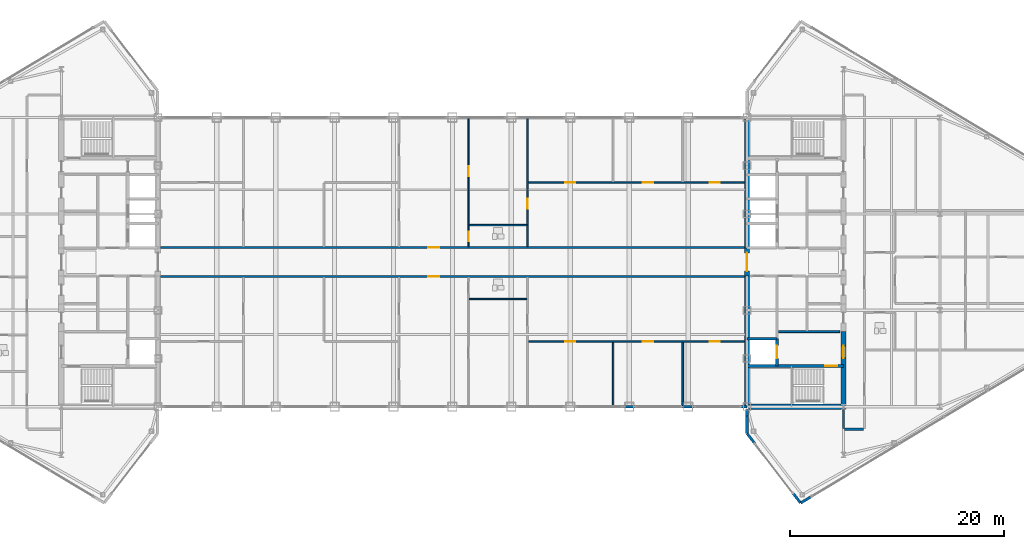
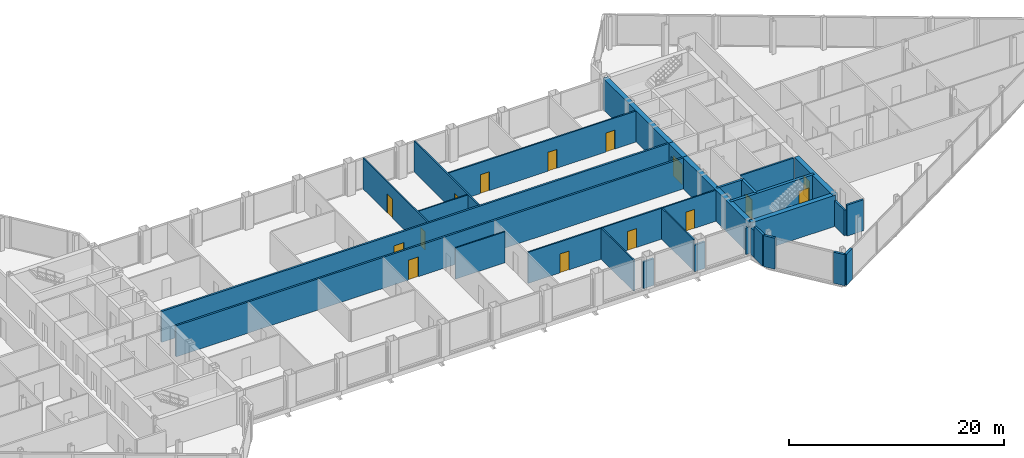
# One storey, part 24 of 29: 29 walls, 15 doors, 15 openings.
"""IFC4 building model written with IfcOpenShell, lengths in metres."""

from ifc_helpers import new_model, si_unit, direction, frame, frame_2d, origin, place, context, subcontext, project, spatial, rectangle, extrude, source, transform, mapped, material, layer, layer_set, type_object, type_shapes, element, fill, save


model = new_model("IFC4")

# Units and contexts
model_context = context("Model", 3, precision=1e-05, world=origin(), true_north=direction((0.0, 1.0)))
body_context = subcontext(model_context, "Body", "Model", "MODEL_VIEW")
ifc_project = project(units=[si_unit("LENGTHUNIT", "METRE"), si_unit("AREAUNIT", "SQUARE_METRE"), si_unit("VOLUMEUNIT", "CUBIC_METRE"), si_unit("PLANEANGLEUNIT", "RADIAN"), si_unit("MASSUNIT", "GRAM", prefix="KILO")], contexts=[model_context])

# Site, building, storey
site_placement = place(None, origin())
site = spatial("IfcSite", under=ifc_project, at=site_placement, CompositionType="ELEMENT")
building_placement = place(site_placement, origin())
building = spatial("IfcBuilding", under=site, at=building_placement, Name="Seokmaru Belvedere", CompositionType="ELEMENT")
storey_placement = place(building_placement, frame((0.0, 0.0, 254.39990234375)))
storey = spatial("IfcBuildingStorey", under=building, at=storey_placement, Name="L67", CompositionType="ELEMENT", Elevation=254.39990234375)

# Wall, openings, doors
ifc_material_1 = material(Name="Fire-Rated Gypsum Shaftwall")
ifc_layer_1 = layer(ifc_material_1, 0.14990234375)
ifc_layer_set_1 = layer_set([ifc_layer_1], Name="Fire-Rated Gypsum Shaftwall")
wall_type_1 = type_object("IfcWallType", Name="Apartment Fire-Acoustic Room Partition 150", PredefinedType="PARTITIONING", material=ifc_layer_set_1)
wall_1_placement = place(storey_placement, frame((7.0849609375, -7.419921875, 0.0), z_axis=(0.0, 0.0, 1.0), x_axis=(1.0, 0.0, 0.0)))
wall_1 = element("IfcWall", 1, at=wall_1_placement, inside=storey, type_object=wall_type_1, Name="L67 Interior Partition 007", PredefinedType="PARTITIONING", context=body_context, shape_type="SweptSolid", body=[
    extrude(rectangle(XDim=20.16015625, YDim=0.14990234375, at=frame_2d((10.080078125, 0.0))), origin(), (0.0, 0.0, 1.0), 3.530029296875),
])
opening_1_placement = place(wall_1_placement, frame((3.43994140625, 0.0, 0.0)))
opening_1 = element("IfcOpeningElement", 2, at=opening_1_placement, cuts=wall_1, Name="Opening D05", PredefinedType="OPENING", context=body_context, shape_type="SweptSolid", body=[
    extrude(rectangle(XDim=0.949951171875, YDim=2.14990234375, at=frame_2d((0.47509765625, 1.074951171875))), frame((0.0, 0.0849609375, 0.0), z_axis=(0.0, -1.0, 0.0), x_axis=(1.0, 0.0, 0.0)), (0.0, 0.0, 1.0), 0.169921875),
])
opening_2_placement = place(wall_1_placement, frame((10.68994140625, 0.0, 0.0)))
opening_2 = element("IfcOpeningElement", 3, at=opening_2_placement, cuts=wall_1, Name="Opening D05", PredefinedType="OPENING", context=body_context, shape_type="SweptSolid", body=[
    extrude(rectangle(XDim=0.949951171875, YDim=2.14990234375, at=frame_2d((0.47509765625, 1.074951171875))), frame((0.0, 0.0849609375, 0.0), z_axis=(0.0, -1.0, 0.0), x_axis=(1.0, 0.0, 0.0)), (0.0, 0.0, 1.0), 0.169921875),
])
opening_3_placement = place(wall_1_placement, frame((16.93994140625, 0.0, 0.0)))
opening_3 = element("IfcOpeningElement", 4, at=opening_3_placement, cuts=wall_1, Name="Opening D05", PredefinedType="OPENING", context=body_context, shape_type="SweptSolid", body=[
    extrude(rectangle(XDim=0.949951171875, YDim=2.14990234375, at=frame_2d((0.47509765625, 1.074951171875))), frame((0.0, 0.0849609375, 0.0), z_axis=(0.0, -1.0, 0.0), x_axis=(1.0, 0.0, 0.0)), (0.0, 0.0, 1.0), 0.169921875),
])
ifc_material_2 = material(Name="Engineered White Oak Timber", Category="wood")
door_type_1 = type_object("IfcDoorType", Name="Apartment Interior Fire-Rated Oak Door 950x2150", OperationType="NOTDEFINED", PredefinedType="DOOR", material=ifc_material_2)
shared_shape_1 = source(origin(), body_context, "Body", "SweptSolid", [
    extrude(rectangle(XDim=0.949951171875, YDim=2.14990234375, at=frame_2d((0.47509765625, 1.074951171875))), frame((0.0, 0.02490234375, 0.0), z_axis=(0.0, -1.0, 0.0), x_axis=(1.0, 0.0, 0.0)), (0.0, 0.0, 1.0), 0.050048828125),
])
type_shapes(door_type_1, [shared_shape_1])
door_1_placement = place(opening_1_placement, origin())
door_1 = element("IfcDoor", 5, at=door_1_placement, inside=storey, type_object=door_type_1, Name="L67 Interior Door 034", OperationType="SINGLE_SWING_LEFT", OverallHeight=2.14990234375, OverallWidth=0.949951171875, PredefinedType="DOOR", context=body_context, shape_type="MappedRepresentation", body=[
    mapped(shared_shape_1, transform((0.0, 0.0, 0.0), scale=1.0)),
])
fill(opening_1, door_1)
door_2_placement = place(opening_2_placement, origin())
door_2 = element("IfcDoor", 6, at=door_2_placement, inside=storey, type_object=door_type_1, Name="L67 Interior Door 035", OperationType="SINGLE_SWING_RIGHT", OverallHeight=2.14990234375, OverallWidth=0.949951171875, PredefinedType="DOOR", context=body_context, shape_type="MappedRepresentation", body=[
    mapped(shared_shape_1, transform((0.0, 0.0, 0.0), scale=1.0)),
])
fill(opening_2, door_2)
door_3_placement = place(opening_3_placement, origin())
door_3 = element("IfcDoor", 7, at=door_3_placement, inside=storey, type_object=door_type_1, Name="L67 Interior Door 036", OperationType="SINGLE_SWING_LEFT", OverallHeight=2.14990234375, OverallWidth=0.949951171875, PredefinedType="DOOR", context=body_context, shape_type="MappedRepresentation", body=[
    mapped(shared_shape_1, transform((0.0, 0.0, 0.0), scale=1.0)),
])
fill(opening_3, door_3)

wall_2_placement = place(storey_placement, frame((7.0849609375, 7.419921875, 0.0), z_axis=(0.0, 0.0, 1.0), x_axis=(1.0, 0.0, 0.0)))
wall_2 = element("IfcWall", 8, at=wall_2_placement, inside=storey, type_object=wall_type_1, Name="L67 Interior Partition 024", PredefinedType="PARTITIONING", context=body_context, shape_type="SweptSolid", body=[
    extrude(rectangle(XDim=20.16015625, YDim=0.14990234375, at=frame_2d((10.080078125, 0.0))), origin(), (0.0, 0.0, 1.0), 3.530029296875),
])
opening_4_placement = place(wall_2_placement, frame((3.43994140625, 0.0, 0.0)))
opening_4 = element("IfcOpeningElement", 9, at=opening_4_placement, cuts=wall_2, Name="Opening D05", PredefinedType="OPENING", context=body_context, shape_type="SweptSolid", body=[
    extrude(rectangle(XDim=0.949951171875, YDim=2.14990234375, at=frame_2d((0.47509765625, 1.074951171875))), frame((0.0, 0.0849609375, 0.0), z_axis=(0.0, -1.0, 0.0), x_axis=(1.0, 0.0, 0.0)), (0.0, 0.0, 1.0), 0.169921875),
])
opening_5_placement = place(wall_2_placement, frame((10.68994140625, 0.0, 0.0)))
opening_5 = element("IfcOpeningElement", 10, at=opening_5_placement, cuts=wall_2, Name="Opening D05", PredefinedType="OPENING", context=body_context, shape_type="SweptSolid", body=[
    extrude(rectangle(XDim=0.949951171875, YDim=2.14990234375, at=frame_2d((0.47509765625, 1.074951171875))), frame((0.0, 0.0849609375, 0.0), z_axis=(0.0, -1.0, 0.0), x_axis=(1.0, 0.0, 0.0)), (0.0, 0.0, 1.0), 0.169921875),
])
opening_6_placement = place(wall_2_placement, frame((16.93994140625, 0.0, 0.0)))
opening_6 = element("IfcOpeningElement", 11, at=opening_6_placement, cuts=wall_2, Name="Opening D05", PredefinedType="OPENING", context=body_context, shape_type="SweptSolid", body=[
    extrude(rectangle(XDim=0.949951171875, YDim=2.14990234375, at=frame_2d((0.47509765625, 1.074951171875))), frame((0.0, 0.0849609375, 0.0), z_axis=(0.0, -1.0, 0.0), x_axis=(1.0, 0.0, 0.0)), (0.0, 0.0, 1.0), 0.169921875),
])
door_4_placement = place(opening_4_placement, origin())
door_4 = element("IfcDoor", 12, at=door_4_placement, inside=storey, type_object=door_type_1, Name="L67 Interior Door 045", OperationType="SINGLE_SWING_LEFT", OverallHeight=2.14990234375, OverallWidth=0.949951171875, PredefinedType="DOOR", context=body_context, shape_type="MappedRepresentation", body=[
    mapped(shared_shape_1, transform((0.0, 0.0, 0.0), scale=1.0)),
])
fill(opening_4, door_4)
door_5_placement = place(opening_5_placement, origin())
door_5 = element("IfcDoor", 13, at=door_5_placement, inside=storey, type_object=door_type_1, Name="L67 Interior Door 046", OperationType="SINGLE_SWING_RIGHT", OverallHeight=2.14990234375, OverallWidth=0.949951171875, PredefinedType="DOOR", context=body_context, shape_type="MappedRepresentation", body=[
    mapped(shared_shape_1, transform((0.0, 0.0, 0.0), scale=1.0)),
])
fill(opening_5, door_5)
door_6_placement = place(opening_6_placement, origin())
door_6 = element("IfcDoor", 14, at=door_6_placement, inside=storey, type_object=door_type_1, Name="L67 Interior Door 047", OperationType="SINGLE_SWING_LEFT", OverallHeight=2.14990234375, OverallWidth=0.949951171875, PredefinedType="DOOR", context=body_context, shape_type="MappedRepresentation", body=[
    mapped(shared_shape_1, transform((0.0, 0.0, 0.0), scale=1.0)),
])
fill(opening_6, door_6)

# Wall, opening, door
wall_3_placement = place(storey_placement, frame((7.0, 1.43505859375, 0.0), z_axis=(0.0, 0.0, 1.0), x_axis=(0.0, 1.0, 0.0)))
wall_3 = element("IfcWall", 15, at=wall_3_placement, inside=storey, type_object=wall_type_1, Name="L67 Interior Partition 043", PredefinedType="PARTITIONING", context=body_context, shape_type="SweptSolid", body=[
    extrude(rectangle(XDim=12.06494140625, YDim=0.14990234375, at=frame_2d((6.032470703125, 0.0))), origin(), (0.0, 0.0, 1.0), 3.530029296875),
])
opening_7_placement = place(wall_3_placement, frame((3.527587890625, 0.0, 0.0)))
opening_7 = element("IfcOpeningElement", 16, at=opening_7_placement, cuts=wall_3, Name="Opening D05", PredefinedType="OPENING", context=body_context, shape_type="SweptSolid", body=[
    extrude(rectangle(XDim=0.949951171875, YDim=2.14990234375, at=frame_2d((0.47509765625, 1.074951171875))), frame((0.0, 0.0849609375, 0.0), z_axis=(0.0, -1.0, 0.0), x_axis=(1.0, 0.0, 0.0)), (0.0, 0.0, 1.0), 0.169921875),
])
door_7_placement = place(opening_7_placement, origin())
door_7 = element("IfcDoor", 17, at=door_7_placement, inside=storey, type_object=door_type_1, Name="L67 Interior Door 044", OperationType="SINGLE_SWING_LEFT", OverallHeight=2.14990234375, OverallWidth=0.949951171875, PredefinedType="DOOR", context=body_context, shape_type="MappedRepresentation", body=[
    mapped(shared_shape_1, transform((0.0, 0.0, 0.0), scale=1.0)),
])
fill(opening_7, door_7)

# Walls
wall_4_placement = place(storey_placement, frame((15.0, -13.5, 0.0), z_axis=(0.0, 0.0, 1.0), x_axis=(0.0, 1.0, 0.0)))
element("IfcWall", 18, at=wall_4_placement, inside=storey, type_object=wall_type_1, Name="L67 Interior Partition 044", PredefinedType="PARTITIONING", context=body_context, shape_type="SweptSolid", body=[
    extrude(rectangle(XDim=5.989990234375, YDim=0.14990234375, at=frame_2d((2.9951171875, 0.0))), origin(), (0.0, 0.0, 1.0), 3.530029296875),
])
wall_5_placement = place(storey_placement, frame((21.5, -13.389892578125, 0.0), z_axis=(0.0, 0.0, 1.0), x_axis=(0.0, 1.0, 0.0)))
element("IfcWall", 19, at=wall_5_placement, inside=storey, type_object=wall_type_1, Name="L67 Interior Partition 046", PredefinedType="PARTITIONING", context=body_context, shape_type="SweptSolid", body=[
    extrude(rectangle(XDim=5.8798828125, YDim=0.14990234375, at=frame_2d((2.93994140625, 0.0))), origin(), (0.0, 0.0, 1.0), 3.530029296875),
])
ifc_material_3 = material(Name="Anodised Bronze Aluminium", Category="aluminium")
ifc_layer_2 = layer(ifc_material_3, 0.2099609375)
ifc_layer_set_2 = layer_set([ifc_layer_2], Name="Anodised Bronze Aluminium")
wall_type_2 = type_object("IfcWallType", Name="Bridge Column Spandrel Closure Pier 210", PredefinedType="SOLIDWALL", material=ifc_layer_set_2)
for number, where, z_axis, x_axis, name in (
    (20, (15.949951171875, -13.5, 0.0), (0.0, 0.0, 1.0), (1.0, 0.0, 0.0), "L67 Bridge South Column Closure Pier 09"),
    (21, (21.449951171875, -13.5, 0.0), (0.0, 0.0, 1.0), (1.0, 0.0, 0.0), "L67 Bridge South Column Closure Pier 10"),
):
    element("IfcWall", number, at=place(storey_placement, frame(where, z_axis=z_axis, x_axis=x_axis)), inside=storey, type_object=wall_type_2, Name=name, PredefinedType="SOLIDWALL", context=body_context, shape_type="SweptSolid", body=[
        extrude(rectangle(XDim=1.10009765625, YDim=0.2099609375, at=frame_2d((0.550048828125, 0.0))), origin(), (0.0, 0.0, 1.0), 3.030029296875),
    ])
wall_6_placement = place(storey_placement, frame((26.949951171875, -13.5, 0.0), z_axis=(0.0, 0.0, 1.0), x_axis=(1.0, 0.0, 0.0)))
element("IfcWall", 22, at=wall_6_placement, inside=storey, type_object=wall_type_2, Name="L67 Bridge South Column Closure Pier 11", PredefinedType="SOLIDWALL", context=body_context, shape_type="SweptSolid", body=[
    extrude(rectangle(XDim=0.5400390625, YDim=0.2099609375, at=frame_2d((0.27001953125, 0.0))), origin(), (0.0, 0.0, 1.0), 3.030029296875),
])
ifc_layer_3 = layer(ifc_material_1, 0.179931640625)
ifc_layer_set_3 = layer_set([ifc_layer_3], Name="Fire-Rated Gypsum Shaftwall")
wall_type_3 = type_object("IfcWallType", Name="Core Service Fire Partition 180", PredefinedType="PARTITIONING", material=ifc_layer_set_3)
wall_7_placement = place(storey_placement, frame((30.449951171875, -6.5, 0.0), z_axis=(0.0, 0.0, 1.0), x_axis=(1.0, 0.0, 0.0)))
element("IfcWall", 23, at=wall_7_placement, inside=storey, type_object=wall_type_3, Name="L67 East Firefighting Lobby Partition", PredefinedType="PARTITIONING", context=body_context, shape_type="SweptSolid", body=[
    extrude(rectangle(XDim=5.699951171875, YDim=0.179931640625, at=frame_2d((2.85009765625, 0.0))), origin(), (0.0, 0.0, 1.0), 3.530029296875),
])
ifc_material_4 = material(Name="Concrete C50 (50 MPa)", Category="concrete")
ifc_layer_4 = layer(ifc_material_4, 0.25)
ifc_layer_set_4 = layer_set([ifc_layer_4], Name="Concrete C50 (50 MPa)")
wall_type_4 = type_object("IfcWallType", Name="Hoistway Transverse Concrete Divider Wall 250", PredefinedType="SHEAR", material=ifc_layer_set_4)
wall_8_placement = place(storey_placement, frame((27.5, -7.14990234375, 0.0), z_axis=(0.0, 0.0, 1.0), x_axis=(1.0, 0.0, 0.0)))
element("IfcWall", 24, at=wall_8_placement, inside=storey, type_object=wall_type_4, Name="L67 East Hoistway Divider Core Wall 1", PredefinedType="SHEAR", context=body_context, shape_type="SweptSolid", body=[
    extrude(rectangle(XDim=2.800048828125, YDim=0.25, at=frame_2d((1.39990234375, 0.0))), origin(), (0.0, 0.0, 1.0), 3.530029296875),
])
ifc_layer_5 = layer(ifc_material_1, 0.199951171875)
ifc_layer_set_5 = layer_set([ifc_layer_5], Name="Fire-Rated Gypsum Shaftwall")
wall_type_5 = type_object("IfcWallType", Name="Inter-Tenancy Fire Compartment Partition 200", PredefinedType="PARTITIONING", material=ifc_layer_set_5)
wall_9_placement = place(storey_placement, frame((36.5849609375, -15.60009765625, 0.0), z_axis=(0.0, 0.0, 1.0), x_axis=(1.0, 0.0, 0.0)))
element("IfcWall", 25, at=wall_9_placement, inside=storey, type_object=wall_type_5, Name="L67 Interior Partition 002", PredefinedType="PARTITIONING", context=body_context, shape_type="SweptSolid", body=[
    extrude(rectangle(XDim=1.780029296875, YDim=0.199951171875, at=frame_2d((0.89013671875, 0.0))), origin(), (0.0, 0.0, 1.0), 3.530029296875),
])

# Wall, opening, door
wall_10_placement = place(storey_placement, frame((-27.2451171875, -1.35009765625, 0.0), z_axis=(0.0, 0.0, 1.0), x_axis=(1.0, 0.0, 0.0)))
wall_10 = element("IfcWall", 26, at=wall_10_placement, inside=storey, type_object=wall_type_5, Name="L67 Interior Partition 015", PredefinedType="PARTITIONING", context=body_context, shape_type="SweptSolid", body=[
    extrude(rectangle(XDim=54.490234375, YDim=0.199951171875, at=frame_2d((27.2451171875, 0.0))), origin(), (0.0, 0.0, 1.0), 3.530029296875),
])
opening_8_placement = place(wall_10_placement, frame((24.969970703125, 0.0, 0.0)))
opening_8 = element("IfcOpeningElement", 27, at=opening_8_placement, cuts=wall_10, Name="Opening D03", PredefinedType="OPENING", context=body_context, shape_type="SweptSolid", body=[
    extrude(rectangle(XDim=1.050048828125, YDim=2.25, at=frame_2d((0.52490234375, 1.125))), frame((0.0, 0.10986328125, 0.0), z_axis=(0.0, -1.0, 0.0), x_axis=(1.0, 0.0, 0.0)), (0.0, 0.0, 1.0), 0.219970703125),
])
ifc_material_5 = material(Name="Fire-Rated Steel Leaf", Category="steel")
door_type_2 = type_object("IfcDoorType", Name="Apartment Entrance Fire Door 1050x2250", OperationType="NOTDEFINED", PredefinedType="DOOR", material=ifc_material_5)
shared_shape_2 = source(origin(), body_context, "Body", "SweptSolid", [
    extrude(rectangle(XDim=1.050048828125, YDim=2.25, at=frame_2d((0.52490234375, 1.125))), frame((0.0, 0.02490234375, 0.0), z_axis=(0.0, -1.0, 0.0), x_axis=(1.0, 0.0, 0.0)), (0.0, 0.0, 1.0), 0.050048828125),
])
type_shapes(door_type_2, [shared_shape_2])
door_8_placement = place(opening_8_placement, origin())
door_8 = element("IfcDoor", 28, at=door_8_placement, inside=storey, type_object=door_type_2, Name="L67 Interior Door 026", OperationType="SINGLE_SWING_LEFT", OverallHeight=2.25, OverallWidth=1.050048828125, PredefinedType="DOOR", context=body_context, shape_type="MappedRepresentation", body=[
    mapped(shared_shape_2, transform((0.0, 0.0, 0.0), scale=1.0)),
])
fill(opening_8, door_8)

wall_11_placement = place(storey_placement, frame((-27.2451171875, 1.35009765625, 0.0), z_axis=(0.0, 0.0, 1.0), x_axis=(1.0, 0.0, 0.0)))
wall_11 = element("IfcWall", 29, at=wall_11_placement, inside=storey, type_object=wall_type_5, Name="L67 Interior Partition 018", PredefinedType="PARTITIONING", context=body_context, shape_type="SweptSolid", body=[
    extrude(rectangle(XDim=54.490234375, YDim=0.199951171875, at=frame_2d((27.2451171875, 0.0))), origin(), (0.0, 0.0, 1.0), 3.530029296875),
])
opening_9_placement = place(wall_11_placement, frame((24.969970703125, 0.0, 0.0)))
opening_9 = element("IfcOpeningElement", 30, at=opening_9_placement, cuts=wall_11, Name="Opening D03", PredefinedType="OPENING", context=body_context, shape_type="SweptSolid", body=[
    extrude(rectangle(XDim=1.050048828125, YDim=2.25, at=frame_2d((0.52490234375, 1.125))), frame((0.0, 0.10986328125, 0.0), z_axis=(0.0, -1.0, 0.0), x_axis=(1.0, 0.0, 0.0)), (0.0, 0.0, 1.0), 0.219970703125),
])
door_9_placement = place(opening_9_placement, origin())
door_9 = element("IfcDoor", 31, at=door_9_placement, inside=storey, type_object=door_type_2, Name="L67 Interior Door 037", OperationType="SINGLE_SWING_RIGHT", OverallHeight=2.25, OverallWidth=1.050048828125, PredefinedType="DOOR", context=body_context, shape_type="MappedRepresentation", body=[
    mapped(shared_shape_2, transform((0.0, 0.0, 0.0), scale=1.0)),
])
fill(opening_9, door_9)

# Wall
wall_12_placement = place(storey_placement, frame((36.5, -15.514892578125, 0.0), z_axis=(0.0, 0.0, 1.0), x_axis=(0.0, 1.0, 0.0)))
element("IfcWall", 32, at=wall_12_placement, inside=storey, type_object=wall_type_5, Name="L67 Interior Partition 048", PredefinedType="PARTITIONING", context=body_context, shape_type="SweptSolid", body=[
    extrude(rectangle(XDim=1.760009765625, YDim=0.199951171875, at=frame_2d((0.8798828125, 0.0))), origin(), (0.0, 0.0, 1.0), 2.93017578125),
])

# Wall, opening, door
ifc_layer_6 = layer(ifc_material_4, 0.300048828125)
ifc_layer_set_6 = layer_set([ifc_layer_6], Name="Concrete C50 (50 MPa)")
wall_type_6 = type_object("IfcWallType", Name="Internal Core Stair and Hoistway Wall 300", PredefinedType="SHEAR", material=ifc_layer_set_6)
wall_13_placement = place(storey_placement, frame((27.5, -9.699951171875, 0.0), z_axis=(0.0, 0.0, 1.0), x_axis=(1.0, 0.0, 0.0)))
wall_13 = element("IfcWall", 33, at=wall_13_placement, inside=storey, type_object=wall_type_6, Name="L67 East Stair ST-1 Enclosure Wall", PredefinedType="SHEAR", context=body_context, shape_type="SweptSolid", body=[
    extrude(rectangle(XDim=9.0, YDim=0.300048828125, at=frame_2d((4.5, 0.0))), origin(), (0.0, 0.0, 1.0), 3.530029296875),
])
opening_10_placement = place(wall_13_placement, frame((7.300048828125, 0.0, 0.0)))
opening_10 = element("IfcOpeningElement", 34, at=opening_10_placement, cuts=wall_13, Name="Opening D01", PredefinedType="OPENING", context=body_context, shape_type="SweptSolid", body=[
    extrude(rectangle(XDim=1.10009765625, YDim=2.199951171875, at=frame_2d((0.550048828125, 1.10009765625))), frame((0.0, 0.16015625, 0.0), z_axis=(0.0, -1.0, 0.0), x_axis=(1.0, 0.0, 0.0)), (0.0, 0.0, 1.0), 0.320068359375),
])
door_type_3 = type_object("IfcDoorType", Name="Special Escape Stair Smokeproof Fire Door 1100x2200", OperationType="NOTDEFINED", PredefinedType="DOOR", material=ifc_material_5)
shared_shape_3 = source(origin(), body_context, "Body", "SweptSolid", [
    extrude(rectangle(XDim=1.10009765625, YDim=2.199951171875, at=frame_2d((0.550048828125, 1.10009765625))), frame((0.0, 0.02490234375, 0.0), z_axis=(0.0, -1.0, 0.0), x_axis=(1.0, 0.0, 0.0)), (0.0, 0.0, 1.0), 0.050048828125),
])
type_shapes(door_type_3, [shared_shape_3])
door_10_placement = place(opening_10_placement, frame((1.10009765625, 0.0, 0.0), z_axis=(0.0, 0.0, 1.0), x_axis=(-1.0, 0.0, 0.0)))
door_10 = element("IfcDoor", 35, at=door_10_placement, inside=storey, type_object=door_type_3, Name="L67 East Special Escape Stair ST-1 Door", OperationType="SINGLE_SWING_RIGHT", OverallHeight=2.199951171875, OverallWidth=1.10009765625, PredefinedType="DOOR", context=body_context, shape_type="MappedRepresentation", body=[
    mapped(shared_shape_3, transform((0.0, 0.0, 0.0), scale=1.0)),
])
fill(opening_10, door_10)

wall_14_placement = place(storey_placement, frame((30.300048828125, -9.679931640625, 0.0), z_axis=(0.0, 0.0, 1.0), x_axis=(0.0, 1.0, 0.0)))
wall_14 = element("IfcWall", 36, at=wall_14_placement, inside=storey, type_object=wall_type_6, Name="L67 East Firefighting Lift Shaft Front Wall", PredefinedType="SHEAR", context=body_context, shape_type="SweptSolid", body=[
    extrude(rectangle(XDim=2.559814453125, YDim=0.300048828125, at=frame_2d((1.27978515625, 0.0))), origin(), (0.0, 0.0, 1.0), 3.530029296875),
])
opening_11_placement = place(wall_14_placement, frame((0.679931640625, 0.0, 0.0)))
opening_11 = element("IfcOpeningElement", 37, at=opening_11_placement, cuts=wall_14, Name="Opening LD2", PredefinedType="OPENING", context=body_context, shape_type="SweptSolid", body=[
    extrude(rectangle(XDim=1.199951171875, YDim=2.25, at=frame_2d((0.60009765625, 1.125))), frame((0.0, 0.16015625, 0.0), z_axis=(0.0, -1.0, 0.0), x_axis=(1.0, 0.0, 0.0)), (0.0, 0.0, 1.0), 0.320068359375),
])
ifc_material_6 = material(Name="Stainless Steel 316", Category="steel")
door_type_4 = type_object("IfcDoorType", Name="Firefighting Lift Sliding Landing Door 1200x2250", OperationType="DOUBLE_DOOR_SLIDING", PredefinedType="DOOR", material=ifc_material_6)
shared_shape_4 = source(origin(), body_context, "Body", "SweptSolid", [
    extrude(rectangle(XDim=1.199951171875, YDim=2.25, at=frame_2d((0.60009765625, 1.125))), frame((0.0, 0.02490234375, 0.0), z_axis=(0.0, -1.0, 0.0), x_axis=(1.0, 0.0, 0.0)), (0.0, 0.0, 1.0), 0.050048828125),
])
type_shapes(door_type_4, [shared_shape_4])
door_11_placement = place(opening_11_placement, origin())
door_11 = element("IfcDoor", 38, at=door_11_placement, inside=storey, type_object=door_type_4, Name="L67 East Firefighting Lift Landing Door", OperationType="DOUBLE_DOOR_SLIDING", OverallHeight=2.25, OverallWidth=1.199951171875, PredefinedType="DOOR", context=body_context, shape_type="MappedRepresentation", body=[
    mapped(shared_shape_4, transform((0.0, 0.0, 0.0), scale=1.0)),
])
fill(opening_11, door_11)

# Walls
ifc_layer_7 = layer(ifc_material_1, 0.1298828125)
ifc_layer_set_7 = layer_set([ifc_layer_7], Name="Fire-Rated Gypsum Shaftwall")
wall_type_7 = type_object("IfcWallType", Name="Moisture-Resistant Fire-Rated Bathroom Partition 130", PredefinedType="PARTITIONING", material=ifc_layer_set_7)
for number, where, z_axis, x_axis, name in (
    (39, (1.5849609375, -3.449951171875, 0.0), (0.0, 0.0, 1.0), (1.0, 0.0, 0.0), "L67 Interior Partition 012"),
    (40, (1.5849609375, 3.449951171875, 0.0), (0.0, 0.0, 1.0), (1.0, 0.0, 0.0), "L67 Interior Partition 020"),
):
    element("IfcWall", number, at=place(storey_placement, frame(where, z_axis=z_axis, x_axis=x_axis)), inside=storey, type_object=wall_type_7, Name=name, PredefinedType="PARTITIONING", context=body_context, shape_type="SweptSolid", body=[
        extrude(rectangle(XDim=5.330078125, YDim=0.1298828125, at=frame_2d((2.6650390625, 0.0))), origin(), (0.0, 0.0, 1.0), 3.530029296875),
    ])

# Wall, openings, doors
wall_15_placement = place(storey_placement, frame((1.5, 1.43505859375, 0.0), z_axis=(0.0, 0.0, 1.0), x_axis=(0.0, 1.0, 0.0)))
wall_15 = element("IfcWall", 41, at=wall_15_placement, inside=storey, type_object=wall_type_7, Name="L67 Interior Partition 041", PredefinedType="PARTITIONING", context=body_context, shape_type="SweptSolid", body=[
    extrude(rectangle(XDim=12.06494140625, YDim=0.1298828125, at=frame_2d((6.032470703125, 0.0))), origin(), (0.0, 0.0, 1.0), 3.530029296875),
])
opening_12_placement = place(wall_15_placement, frame((0.52490234375, 0.0, 0.0)))
opening_12 = element("IfcOpeningElement", 42, at=opening_12_placement, cuts=wall_15, Name="Opening D06", PredefinedType="OPENING", context=body_context, shape_type="SweptSolid", body=[
    extrude(rectangle(XDim=0.8798828125, YDim=2.10009765625, at=frame_2d((0.43994140625, 1.050048828125))), frame((0.0, 0.074951171875, 0.0), z_axis=(0.0, -1.0, 0.0), x_axis=(1.0, 0.0, 0.0)), (0.0, 0.0, 1.0), 0.14990234375),
])
opening_13_placement = place(wall_15_placement, frame((6.56494140625, 0.0, 0.0)))
opening_13 = element("IfcOpeningElement", 43, at=opening_13_placement, cuts=wall_15, Name="Opening D05", PredefinedType="OPENING", context=body_context, shape_type="SweptSolid", body=[
    extrude(rectangle(XDim=0.949951171875, YDim=2.14990234375, at=frame_2d((0.47509765625, 1.074951171875))), frame((0.0, 0.074951171875, 0.0), z_axis=(0.0, -1.0, 0.0), x_axis=(1.0, 0.0, 0.0)), (0.0, 0.0, 1.0), 0.14990234375),
])
door_type_5 = type_object("IfcDoorType", Name="Bathroom and Restroom Fire-Rated Door 880x2100", OperationType="NOTDEFINED", PredefinedType="DOOR", material=ifc_material_2)
shared_shape_5 = source(origin(), body_context, "Body", "SweptSolid", [
    extrude(rectangle(XDim=0.8798828125, YDim=2.10009765625, at=frame_2d((0.43994140625, 1.050048828125))), frame((0.0, 0.02490234375, 0.0), z_axis=(0.0, -1.0, 0.0), x_axis=(1.0, 0.0, 0.0)), (0.0, 0.0, 1.0), 0.050048828125),
])
type_shapes(door_type_5, [shared_shape_5])
door_12_placement = place(opening_12_placement, origin())
door_12 = element("IfcDoor", 44, at=door_12_placement, inside=storey, type_object=door_type_5, Name="L67 Interior Door 038", OperationType="SINGLE_SWING_LEFT", OverallHeight=2.10009765625, OverallWidth=0.8798828125, PredefinedType="DOOR", context=body_context, shape_type="MappedRepresentation", body=[
    mapped(shared_shape_5, transform((0.0, 0.0, 0.0), scale=1.0)),
])
fill(opening_12, door_12)
door_13_placement = place(opening_13_placement, origin())
door_13 = element("IfcDoor", 45, at=door_13_placement, inside=storey, type_object=door_type_1, Name="L67 Interior Door 039", OperationType="SINGLE_SWING_RIGHT", OverallHeight=2.14990234375, OverallWidth=0.949951171875, PredefinedType="DOOR", context=body_context, shape_type="MappedRepresentation", body=[
    mapped(shared_shape_1, transform((0.0, 0.0, 0.0), scale=1.0)),
])
fill(opening_13, door_13)

# Walls
ifc_layer_8 = layer(ifc_material_3, 0.239990234375)
ifc_layer_set_8 = layer_set([ifc_layer_8], Name="Anodised Bronze Aluminium")
wall_type_8 = type_object("IfcWallType", Name="Tower Corner Spandrel Closure Wall 240", PredefinedType="SOLIDWALL", material=ifc_layer_set_8)
wall_16_placement = place(storey_placement, frame((32.508544921875, -22.494873046875, 0.0), z_axis=(0.0, 0.0, 1.0), x_axis=(0.85743623509, 0.514590228002, 0.0)))
element("IfcWall", 46, at=wall_16_placement, inside=storey, type_object=wall_type_8, Name="L67 E Corner Closure Pier 1A", PredefinedType="SOLIDWALL", context=body_context, shape_type="SweptSolid", body=[
    extrude(rectangle(XDim=1.14013671875, YDim=0.239990234375, at=frame_2d((0.570068359375, 0.0))), origin(), (0.0, 0.0, 1.0), 3.530029296875),
])
wall_17_placement = place(storey_placement, frame((27.5, -15.97998046875, 0.0), z_axis=(0.0, 0.0, 1.0), x_axis=(0.0, 1.0, 0.0)))
element("IfcWall", 47, at=wall_17_placement, inside=storey, type_object=wall_type_8, Name="L67 E Shoulder Closure Wall 1", PredefinedType="SOLIDWALL", context=body_context, shape_type="SweptSolid", body=[
    extrude(rectangle(XDim=1.605224609375, YDim=0.239990234375, at=frame_2d((0.802734375, 0.0))), origin(), (0.0, 0.0, 1.0), 3.530029296875),
])
wall_18_placement = place(storey_placement, frame((27.5, -14.374755859375, 0.0), z_axis=(0.0, 0.0, 1.0), x_axis=(0.0, 1.0, 0.0)))
element("IfcWall", 48, at=wall_18_placement, inside=storey, type_object=wall_type_8, Name="L67 E Shoulder Closure Wall 1 Part 2", PredefinedType="SOLIDWALL", context=body_context, shape_type="SweptSolid", body=[
    extrude(rectangle(XDim=0.619873046875, YDim=0.239990234375, at=frame_2d((0.31005859375, 0.0))), origin(), (0.0, 0.0, 1.0), 3.030029296875),
])
for number, where, z_axis, x_axis, name in (
    (49, (27.506103515625, -16.0078125, 0.0), (0.0, 0.0, 1.0), (0.609617623633, -0.792695624408, 0.0), "L67 E Corner Closure Pier 6A"),
    (50, (31.798828125, -21.58837890625, 0.0), (0.0, 0.0, 1.0), (0.609617623633, -0.792695624408, 0.0), "L67 E Corner Closure Pier 6B"),
):
    element("IfcWall", number, at=place(storey_placement, frame(where, z_axis=z_axis, x_axis=x_axis)), inside=storey, type_object=wall_type_8, Name=name, PredefinedType="SOLIDWALL", context=body_context, shape_type="SweptSolid", body=[
        extrude(rectangle(XDim=1.14013671875, YDim=0.239990234375, at=frame_2d((0.570068359375, 0.0))), origin(), (0.0, 0.0, 1.0), 3.530029296875),
    ])
ifc_layer_9 = layer(ifc_material_4, 0.5)
ifc_layer_set_9 = layer_set([ifc_layer_9], Name="Concrete C50 (50 MPa)")
wall_type_9 = type_object("IfcWallType", Name="Upper Tower Reinforced Concrete Core Wall 500", PredefinedType="SHEAR", material=ifc_layer_set_9)
for number, where, z_axis, x_axis, name in (
    (51, (27.5, -13.5, 0.0), (0.0, 0.0, 1.0), (0.0, 1.0, 0.0), "L67 East Portal Spine Core Wall South"),
    (52, (27.5, 1.300048828125, 0.0), (0.0, 0.0, 1.0), (0.0, 1.0, 0.0), "L67 East Portal Spine Core Wall North"),
):
    element("IfcWall", number, at=place(storey_placement, frame(where, z_axis=z_axis, x_axis=x_axis)), inside=storey, type_object=wall_type_9, Name=name, PredefinedType="SHEAR", context=body_context, shape_type="SweptSolid", body=[
        extrude(rectangle(XDim=12.199951171875, YDim=0.5, at=frame_2d((6.10009765625, 0.0))), origin(), (0.0, 0.0, 1.0), 3.530029296875),
    ])

# Wall, opening, door
wall_19_placement = place(storey_placement, frame((27.5, -1.300048828125, 0.0), z_axis=(0.0, 0.0, 1.0), x_axis=(0.0, 1.0, 0.0)))
wall_19 = element("IfcWall", 53, at=wall_19_placement, inside=storey, type_object=wall_type_9, Name="L67 East Portal Spine Core Wall Center", PredefinedType="SHEAR", context=body_context, shape_type="SweptSolid", body=[
    extrude(rectangle(XDim=2.60009765625, YDim=0.5, at=frame_2d((1.300048828125, 0.0))), origin(), (0.0, 0.0, 1.0), 3.530029296875),
])
opening_14_placement = place(wall_19_placement, frame((0.449951171875, 0.0, 0.0)))
opening_14 = element("IfcOpeningElement", 54, at=opening_14_placement, cuts=wall_19, Name="Opening D09", PredefinedType="OPENING", context=body_context, shape_type="SweptSolid", body=[
    extrude(rectangle(XDim=1.699951171875, YDim=2.35009765625, at=frame_2d((0.85009765625, 1.175048828125))), frame((0.0, 0.260009765625, 0.0), z_axis=(0.0, -1.0, 0.0), x_axis=(1.0, 0.0, 0.0)), (0.0, 0.0, 1.0), 0.52001953125),
])
door_type_6 = type_object("IfcDoorType", Name="Sky-Gate Bridge Inter-Tower Fire Door 1700x2350", OperationType="DOUBLE_SWING_LEFT", PredefinedType="DOOR", material=ifc_material_5)
shared_shape_6 = source(origin(), body_context, "Body", "SweptSolid", [
    extrude(rectangle(XDim=1.699951171875, YDim=2.35009765625, at=frame_2d((0.85009765625, 1.175048828125))), frame((0.0, 0.02490234375, 0.0), z_axis=(0.0, -1.0, 0.0), x_axis=(1.0, 0.0, 0.0)), (0.0, 0.0, 1.0), 0.050048828125),
])
type_shapes(door_type_6, [shared_shape_6])
door_14_placement = place(opening_14_placement, origin())
door_14 = element("IfcDoor", 55, at=door_14_placement, inside=storey, type_object=door_type_6, Name="L67 East Inter-Tower Fire Door", OperationType="DOUBLE_SWING_LEFT", OverallHeight=2.35009765625, OverallWidth=1.699951171875, PredefinedType="DOOR", context=body_context, shape_type="MappedRepresentation", body=[
    mapped(shared_shape_6, transform((0.0, 0.0, 0.0), scale=1.0)),
])
fill(opening_14, door_14)

# Wall
wall_20_placement = place(storey_placement, frame((27.5, -13.5, 0.0), z_axis=(0.0, 0.0, 1.0), x_axis=(1.0, 0.0, 0.0)))
element("IfcWall", 56, at=wall_20_placement, inside=storey, type_object=wall_type_9, Name="L67 East South Core Wall", PredefinedType="SHEAR", context=body_context, shape_type="SweptSolid", body=[
    extrude(rectangle(XDim=9.0, YDim=0.5, at=frame_2d((4.5, 0.0))), origin(), (0.0, 0.0, 1.0), 3.530029296875),
])

# Wall, opening, door
wall_21_placement = place(storey_placement, frame((36.5, -13.64990234375, 0.0), z_axis=(0.0, 0.0, 1.0), x_axis=(0.0, 1.0, 0.0)))
wall_21 = element("IfcWall", 57, at=wall_21_placement, inside=storey, type_object=wall_type_9, Name="L67 East West Core Wall FF", PredefinedType="SHEAR", context=body_context, shape_type="SweptSolid", body=[
    extrude(rectangle(XDim=7.14990234375, YDim=0.5, at=frame_2d((3.574951171875, 0.0))), origin(), (0.0, 0.0, 1.0), 3.530029296875),
])
opening_15_placement = place(wall_21_placement, frame((4.675048828125, 0.0, 0.0)))
opening_15 = element("IfcOpeningElement", 58, at=opening_15_placement, cuts=wall_21, Name="Opening D02", PredefinedType="OPENING", context=body_context, shape_type="SweptSolid", body=[
    extrude(rectangle(XDim=1.14990234375, YDim=2.199951171875, at=frame_2d((0.574951171875, 1.10009765625))), frame((0.0, 0.260009765625, 0.0), z_axis=(0.0, -1.0, 0.0), x_axis=(1.0, 0.0, 0.0)), (0.0, 0.0, 1.0), 0.52001953125),
])
door_type_7 = type_object("IfcDoorType", Name="Lobby and Vestibule Fire Door 1150x2200", OperationType="NOTDEFINED", PredefinedType="DOOR", material=ifc_material_5)
shared_shape_7 = source(origin(), body_context, "Body", "SweptSolid", [
    extrude(rectangle(XDim=1.14990234375, YDim=2.199951171875, at=frame_2d((0.574951171875, 1.10009765625))), frame((0.0, 0.02490234375, 0.0), z_axis=(0.0, -1.0, 0.0), x_axis=(1.0, 0.0, 0.0)), (0.0, 0.0, 1.0), 0.050048828125),
])
type_shapes(door_type_7, [shared_shape_7])
door_15_placement = place(opening_15_placement, origin())
door_15 = element("IfcDoor", 59, at=door_15_placement, inside=storey, type_object=door_type_7, Name="L67 East Firefighting Lobby Door", OperationType="SINGLE_SWING_RIGHT", OverallHeight=2.199951171875, OverallWidth=1.14990234375, PredefinedType="DOOR", context=body_context, shape_type="MappedRepresentation", body=[
    mapped(shared_shape_7, transform((0.0, 0.0, 0.0), scale=1.0)),
])
fill(opening_15, door_15)

save(model, "model.ifc")
